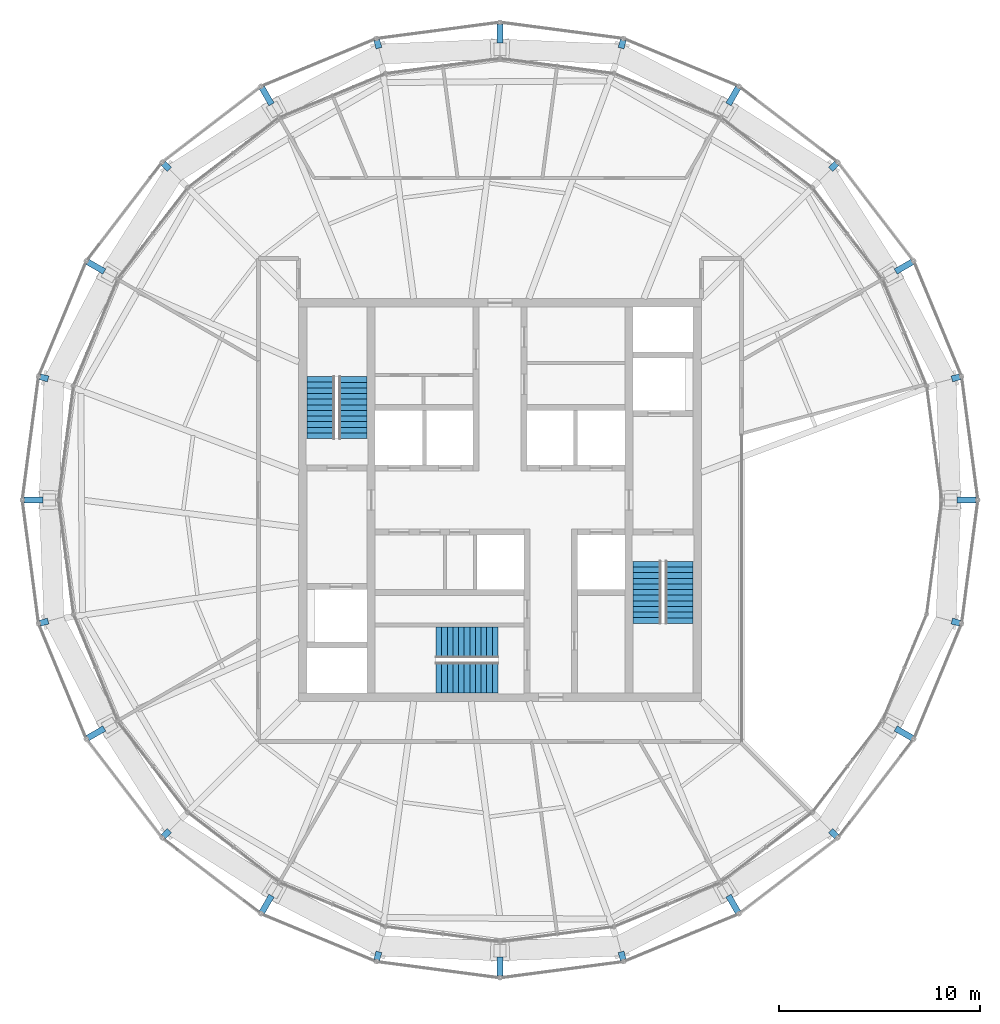
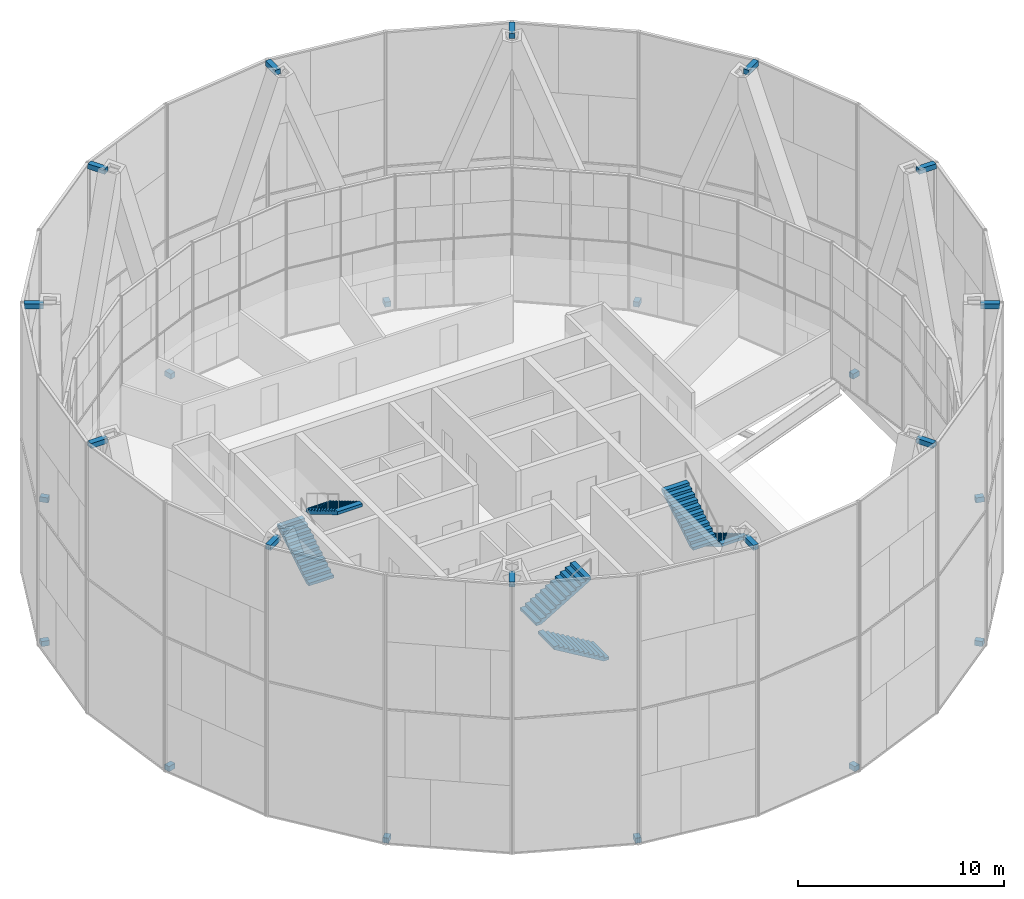
# One storey, part 21 of 22: 24 discrete accessories, 6 stair flights, 3 elements without a shape of their own.
"""IFC4 building model written with IfcOpenShell, lengths in metres."""

from ifc_helpers import new_model, si_unit, direction, frame, origin, origin_2d, place, context, subcontext, project, spatial, polyline, rectangle, outline, extrude, material, type_object, element, aggregate, save


model = new_model("IFC4")

# Units and contexts
model_context = context("Model", 3, precision=1e-05, world=origin(), true_north=direction((0.0, 1.0)))
body_context = subcontext(model_context, "Body", "Model", "MODEL_VIEW")
ifc_project = project(units=[si_unit("LENGTHUNIT", "METRE"), si_unit("AREAUNIT", "SQUARE_METRE"), si_unit("VOLUMEUNIT", "CUBIC_METRE"), si_unit("PLANEANGLEUNIT", "RADIAN"), si_unit("MASSUNIT", "GRAM", prefix="KILO")], contexts=[model_context])

# Site, building, storey
site_placement = place(None, origin())
site = spatial("IfcSite", under=ifc_project, at=site_placement, CompositionType="ELEMENT")
building_placement = place(site_placement, origin())
building = spatial("IfcBuilding", under=site, at=building_placement, Name="Golbaran Civic Tower", CompositionType="ELEMENT")
storey_placement = place(building_placement, frame((0.0, 0.0, 264.0)))
storey = spatial("IfcBuildingStorey", under=building, at=storey_placement, Name="L64", CompositionType="ELEMENT", Elevation=264.0)

# Stair, stair flights
ifc_material_1 = material(Name="Concrete C35/45", Category="concrete")
stair_type_1 = type_object("IfcStairType", Name="EXIT STAIR 3000 x 7850, 4000 RISE", PredefinedType="HALF_TURN_STAIR", material=ifc_material_1)
stair_1_placement = place(storey_placement, origin())
stair_1 = element("IfcStair", 1, at=stair_1_placement, inside=storey, type_object=stair_type_1, Name="Stair S1 L64", PredefinedType="HALF_TURN_STAIR")
stair_flight_type_1 = type_object("IfcStairFlightType", Name="STAIR FLIGHT 1400 WIDE", PredefinedType="STRAIGHT", material=ifc_material_1)
stair_flight_1_placement = place(storey_placement, frame((-8.89990234375, 3.050048828125, 0.0), z_axis=(0.0, 0.0, 1.0), x_axis=(0.0, 1.0, 0.0)))
stair_flight_1 = element("IfcStairFlight", 2, at=stair_flight_1_placement, type_object=stair_flight_type_1, Name="ST30078-40 flight 1", NumberOfRisers=12, NumberOfTreads=11, PredefinedType="STRAIGHT", RiserHeight=0.166666667, TreadLength=0.28, context=body_context, shape_type="SweptSolid", body=[
    extrude(outline(polyline([(0.0, 0.0), (0.0, 0.166748046875), (0.280029296875, 0.166748046875), (0.280029296875, 0.333251953125), (0.56005859375, 0.333251953125), (0.56005859375, 0.5), (0.840087890625, 0.5), (0.840087890625, 0.666748046875), (1.1201171875, 0.666748046875), (1.1201171875, 0.833251953125), (1.39990234375, 0.833251953125), (1.39990234375, 1.0), (1.679931640625, 1.0), (1.679931640625, 1.166748046875), (1.9599609375, 1.166748046875), (1.9599609375, 1.333251953125), (2.239990234375, 1.333251953125), (2.239990234375, 1.5), (2.52001953125, 1.5), (2.52001953125, 1.666748046875), (2.800048828125, 1.666748046875), (2.800048828125, 1.833251953125), (3.080078125, 1.833251953125), (3.080078125, 2.0), (3.080078125, 1.658935546875), (0.29296875, 0.0), (0.0, 0.0)])), frame((0.0, 0.699951171875, 0.0), z_axis=(0.0, -1.0, 0.0), x_axis=(1.0, 0.0, 0.0)), (0.0, 0.0, 1.0), 1.39990234375),
])
stair_flight_2_placement = place(storey_placement, frame((-7.300048828125, 6.1298828125, 2.0), z_axis=(0.0, 0.0, 1.0), x_axis=(0.0, -1.0, 0.0)))
stair_flight_2 = element("IfcStairFlight", 3, at=stair_flight_2_placement, type_object=stair_flight_type_1, Name="ST30078-40 flight 2", NumberOfRisers=12, NumberOfTreads=11, PredefinedType="STRAIGHT", RiserHeight=0.166666667, TreadLength=0.28, context=body_context, shape_type="SweptSolid", body=[
    extrude(outline(polyline([(0.0, 0.0), (0.0, 0.166748046875), (0.280029296875, 0.166748046875), (0.280029296875, 0.333251953125), (0.56005859375, 0.333251953125), (0.56005859375, 0.5), (0.840087890625, 0.5), (0.840087890625, 0.666748046875), (1.1201171875, 0.666748046875), (1.1201171875, 0.833251953125), (1.39990234375, 0.833251953125), (1.39990234375, 1.0), (1.679931640625, 1.0), (1.679931640625, 1.166748046875), (1.9599609375, 1.166748046875), (1.9599609375, 1.333251953125), (2.239990234375, 1.333251953125), (2.239990234375, 1.5), (2.52001953125, 1.5), (2.52001953125, 1.666748046875), (2.800048828125, 1.666748046875), (2.800048828125, 1.833251953125), (3.080078125, 1.833251953125), (3.080078125, 2.0), (3.080078125, 1.658935546875), (0.29296875, 0.0), (0.0, 0.0)])), frame((0.0, 0.699951171875, 0.0), z_axis=(0.0, -1.0, 0.0), x_axis=(1.0, 0.0, 0.0)), (0.0, 0.0, 1.0), 1.39990234375),
])
aggregate(stair_1, [stair_flight_1, stair_flight_2])

stair_2_placement = place(storey_placement, origin())
stair_2 = element("IfcStair", 4, at=stair_2_placement, inside=storey, type_object=stair_type_1, Name="Stair S2 L64", PredefinedType="HALF_TURN_STAIR")
stair_flight_3_placement = place(storey_placement, frame((8.89990234375, -3.050048828125, 0.0), z_axis=(0.0, 0.0, 1.0), x_axis=(0.0, -1.0, 0.0)))
stair_flight_3 = element("IfcStairFlight", 5, at=stair_flight_3_placement, type_object=stair_flight_type_1, Name="ST30078-40 flight 1", NumberOfRisers=12, NumberOfTreads=11, PredefinedType="STRAIGHT", RiserHeight=0.166666667, TreadLength=0.28, context=body_context, shape_type="SweptSolid", body=[
    extrude(outline(polyline([(0.0, 0.0), (0.0, 0.166748046875), (0.280029296875, 0.166748046875), (0.280029296875, 0.333251953125), (0.56005859375, 0.333251953125), (0.56005859375, 0.5), (0.840087890625, 0.5), (0.840087890625, 0.666748046875), (1.1201171875, 0.666748046875), (1.1201171875, 0.833251953125), (1.39990234375, 0.833251953125), (1.39990234375, 1.0), (1.679931640625, 1.0), (1.679931640625, 1.166748046875), (1.9599609375, 1.166748046875), (1.9599609375, 1.333251953125), (2.239990234375, 1.333251953125), (2.239990234375, 1.5), (2.52001953125, 1.5), (2.52001953125, 1.666748046875), (2.800048828125, 1.666748046875), (2.800048828125, 1.833251953125), (3.080078125, 1.833251953125), (3.080078125, 2.0), (3.080078125, 1.658935546875), (0.29296875, 0.0), (0.0, 0.0)])), frame((0.0, 0.699951171875, 0.0), z_axis=(0.0, -1.0, 0.0), x_axis=(1.0, 0.0, 0.0)), (0.0, 0.0, 1.0), 1.39990234375),
])
stair_flight_4_placement = place(storey_placement, frame((7.300048828125, -6.1298828125, 2.0), z_axis=(0.0, 0.0, 1.0), x_axis=(0.0, 1.0, 0.0)))
stair_flight_4 = element("IfcStairFlight", 6, at=stair_flight_4_placement, type_object=stair_flight_type_1, Name="ST30078-40 flight 2", NumberOfRisers=12, NumberOfTreads=11, PredefinedType="STRAIGHT", RiserHeight=0.166666667, TreadLength=0.28, context=body_context, shape_type="SweptSolid", body=[
    extrude(outline(polyline([(0.0, 0.0), (0.0, 0.166748046875), (0.280029296875, 0.166748046875), (0.280029296875, 0.333251953125), (0.56005859375, 0.333251953125), (0.56005859375, 0.5), (0.840087890625, 0.5), (0.840087890625, 0.666748046875), (1.1201171875, 0.666748046875), (1.1201171875, 0.833251953125), (1.39990234375, 0.833251953125), (1.39990234375, 1.0), (1.679931640625, 1.0), (1.679931640625, 1.166748046875), (1.9599609375, 1.166748046875), (1.9599609375, 1.333251953125), (2.239990234375, 1.333251953125), (2.239990234375, 1.5), (2.52001953125, 1.5), (2.52001953125, 1.666748046875), (2.800048828125, 1.666748046875), (2.800048828125, 1.833251953125), (3.080078125, 1.833251953125), (3.080078125, 2.0), (3.080078125, 1.658935546875), (0.29296875, 0.0), (0.0, 0.0)])), frame((0.0, 0.699951171875, 0.0), z_axis=(0.0, -1.0, 0.0), x_axis=(1.0, 0.0, 0.0)), (0.0, 0.0, 1.0), 1.39990234375),
])
aggregate(stair_2, [stair_flight_3, stair_flight_4])

stair_type_2 = type_object("IfcStairType", Name="EXIT STAIR 3300 x 7400, 4000 RISE", PredefinedType="HALF_TURN_STAIR", material=ifc_material_1)
stair_3_placement = place(storey_placement, origin())
stair_3 = element("IfcStair", 7, at=stair_3_placement, inside=storey, type_object=stair_type_2, Name="Stair S3 L64", PredefinedType="HALF_TURN_STAIR")
stair_flight_type_2 = type_object("IfcStairFlightType", Name="STAIR FLIGHT 1550 WIDE", PredefinedType="STRAIGHT", material=ifc_material_1)
stair_flight_5_placement = place(storey_placement, frame((-0.10009765625, -8.824951171875, 0.0), z_axis=(0.0, 0.0, 1.0), x_axis=(-1.0, 0.0, 0.0)))
stair_flight_5 = element("IfcStairFlight", 8, at=stair_flight_5_placement, type_object=stair_flight_type_2, Name="ST33074-40 flight 1", NumberOfRisers=12, NumberOfTreads=11, PredefinedType="STRAIGHT", RiserHeight=0.166666667, TreadLength=0.28, context=body_context, shape_type="SweptSolid", body=[
    extrude(outline(polyline([(0.0, 0.0), (0.0, 0.166748046875), (0.280029296875, 0.166748046875), (0.280029296875, 0.333251953125), (0.56005859375, 0.333251953125), (0.56005859375, 0.5), (0.840087890625, 0.5), (0.840087890625, 0.666748046875), (1.1201171875, 0.666748046875), (1.1201171875, 0.833251953125), (1.39990234375, 0.833251953125), (1.39990234375, 1.0), (1.679931640625, 1.0), (1.679931640625, 1.166748046875), (1.9599609375, 1.166748046875), (1.9599609375, 1.333251953125), (2.239990234375, 1.333251953125), (2.239990234375, 1.5), (2.52001953125, 1.5), (2.52001953125, 1.666748046875), (2.800048828125, 1.666748046875), (2.800048828125, 1.833251953125), (3.080078125, 1.833251953125), (3.080078125, 2.0), (3.080078125, 1.658935546875), (0.29296875, 0.0), (0.0, 0.0)])), frame((0.0, 0.77490234375, 0.0), z_axis=(0.0, -1.0, 0.0), x_axis=(1.0, 0.0, 0.0)), (0.0, 0.0, 1.0), 1.550048828125),
])
stair_flight_6_placement = place(storey_placement, frame((-3.179931640625, -7.074951171875, 2.0), z_axis=(0.0, 0.0, 1.0), x_axis=(1.0, 0.0, 0.0)))
stair_flight_6 = element("IfcStairFlight", 9, at=stair_flight_6_placement, type_object=stair_flight_type_2, Name="ST33074-40 flight 2", NumberOfRisers=12, NumberOfTreads=11, PredefinedType="STRAIGHT", RiserHeight=0.166666667, TreadLength=0.28, context=body_context, shape_type="SweptSolid", body=[
    extrude(outline(polyline([(0.0, 0.0), (0.0, 0.166748046875), (0.280029296875, 0.166748046875), (0.280029296875, 0.333251953125), (0.56005859375, 0.333251953125), (0.56005859375, 0.5), (0.840087890625, 0.5), (0.840087890625, 0.666748046875), (1.1201171875, 0.666748046875), (1.1201171875, 0.833251953125), (1.39990234375, 0.833251953125), (1.39990234375, 1.0), (1.679931640625, 1.0), (1.679931640625, 1.166748046875), (1.9599609375, 1.166748046875), (1.9599609375, 1.333251953125), (2.239990234375, 1.333251953125), (2.239990234375, 1.5), (2.52001953125, 1.5), (2.52001953125, 1.666748046875), (2.800048828125, 1.666748046875), (2.800048828125, 1.833251953125), (3.080078125, 1.833251953125), (3.080078125, 2.0), (3.080078125, 1.658935546875), (0.29296875, 0.0), (0.0, 0.0)])), frame((0.0, 0.77490234375, 0.0), z_axis=(0.0, -1.0, 0.0), x_axis=(1.0, 0.0, 0.0)), (0.0, 0.0, 1.0), 1.550048828125),
])
aggregate(stair_3, [stair_flight_5, stair_flight_6])

# Discrete accessories
ifc_material_2 = material(Name="Steel S355", Category="steel")
discrete_accessory_type = type_object("IfcDiscreteAccessoryType", Name="OUTER SKIN BRACKET", PredefinedType="BRACKET", material=ifc_material_2)
for number, where, z_axis, x_axis, name in (
    (10, (22.64892578125, 6.06884765625, -0.7099609375), (0.0, 0.0, 1.0), (0.965925826289, 0.258819045103, 0.0), "Outer skin bracket L64 node 1"),
    (11, (16.580322265625, 16.580322265625, -0.7099609375), (0.0, 0.0, 1.0), (0.707106781187, 0.707106781187, 0.0), "Outer skin bracket L64 node 2"),
    (12, (6.06884765625, 22.64892578125, -0.7099609375), (0.0, 0.0, 1.0), (0.258819045103, 0.965925826289, 0.0), "Outer skin bracket L64 node 3"),
    (13, (-6.06884765625, 22.64892578125, -0.7099609375), (0.0, 0.0, 1.0), (-0.258819045103, 0.965925826289, 0.0), "Outer skin bracket L64 node 4"),
    (14, (-16.580322265625, 16.580322265625, -0.7099609375), (0.0, 0.0, 1.0), (-0.707106781187, 0.707106781187, 0.0), "Outer skin bracket L64 node 5"),
    (15, (-22.64892578125, 6.06884765625, -0.7099609375), (0.0, 0.0, 1.0), (-0.965925826289, 0.258819045103, 0.0), "Outer skin bracket L64 node 6"),
    (16, (-22.64892578125, -6.06884765625, -0.7099609375), (0.0, 0.0, 1.0), (-0.965925826289, -0.258819045103, 0.0), "Outer skin bracket L64 node 7"),
    (17, (-16.580322265625, -16.580322265625, -0.7099609375), (0.0, 0.0, 1.0), (-0.707106781187, -0.707106781187, 0.0), "Outer skin bracket L64 node 8"),
    (18, (-6.06884765625, -22.64892578125, -0.7099609375), (0.0, 0.0, 1.0), (-0.258819045103, -0.965925826289, 0.0), "Outer skin bracket L64 node 9"),
    (19, (6.06884765625, -22.64892578125, -0.7099609375), (0.0, 0.0, 1.0), (0.258819045103, -0.965925826289, 0.0), "Outer skin bracket L64 node 10"),
    (20, (16.580322265625, -16.580322265625, -0.7099609375), (0.0, 0.0, 1.0), (0.707106781187, -0.707106781187, 0.0), "Outer skin bracket L64 node 11"),
    (21, (22.64892578125, -6.06884765625, -0.7099609375), (0.0, 0.0, 1.0), (0.965925826289, -0.258819045103, 0.0), "Outer skin bracket L64 node 12"),
):
    element("IfcDiscreteAccessory", number, at=place(storey_placement, frame(where, z_axis=z_axis, x_axis=x_axis)), inside=storey, type_object=discrete_accessory_type, Name=name, PredefinedType="BRACKET", context=body_context, shape_type="SweptSolid", body=[
        extrude(rectangle(XDim=0.419921875, YDim=0.300048828125, at=origin_2d()), origin(), (0.0, 0.0, 1.0), 0.300048828125),
    ])
for number, where, z_axis, x_axis, name in (
    (22, (23.178955078125, 0.0, 14.98974609375), (0.0, 0.0, 1.0), (1.0, 0.0, 0.0), "Outer skin head bracket L64 node 1"),
    (23, (20.073486328125, 11.589599609375, 14.98974609375), (0.0, 0.0, 1.0), (0.866025403784, 0.5, 0.0), "Outer skin head bracket L64 node 2"),
    (24, (11.589599609375, 20.073486328125, 14.98974609375), (0.0, 0.0, 1.0), (0.5, 0.866025403784, 0.0), "Outer skin head bracket L64 node 3"),
    (25, (0.0, 23.178955078125, 14.98974609375), (0.0, 0.0, 1.0), (0.0, 1.0, 0.0), "Outer skin head bracket L64 node 4"),
    (26, (-11.589599609375, 20.073486328125, 14.98974609375), (0.0, 0.0, 1.0), (-0.5, 0.866025403784, 0.0), "Outer skin head bracket L64 node 5"),
    (27, (-20.073486328125, 11.589599609375, 14.98974609375), (0.0, 0.0, 1.0), (-0.866025403784, 0.5, 0.0), "Outer skin head bracket L64 node 6"),
    (28, (-23.178955078125, 0.0, 14.98974609375), (0.0, 0.0, 1.0), (-1.0, 0.0, 0.0), "Outer skin head bracket L64 node 7"),
    (29, (-20.073486328125, -11.589599609375, 14.98974609375), (0.0, 0.0, 1.0), (-0.866025403784, -0.5, 0.0), "Outer skin head bracket L64 node 8"),
    (30, (-11.589599609375, -20.073486328125, 14.98974609375), (0.0, 0.0, 1.0), (-0.5, -0.866025403784, 0.0), "Outer skin head bracket L64 node 9"),
    (31, (0.0, -23.178955078125, 14.98974609375), (0.0, 0.0, 1.0), (0.0, -1.0, 0.0), "Outer skin head bracket L64 node 10"),
    (32, (11.589599609375, -20.073486328125, 14.98974609375), (0.0, 0.0, 1.0), (0.5, -0.866025403784, 0.0), "Outer skin head bracket L64 node 11"),
    (33, (20.073486328125, -11.589599609375, 14.98974609375), (0.0, 0.0, 1.0), (0.866025403784, -0.5, 0.0), "Outer skin head bracket L64 node 12"),
):
    element("IfcDiscreteAccessory", number, at=place(storey_placement, frame(where, z_axis=z_axis, x_axis=x_axis)), inside=storey, type_object=discrete_accessory_type, Name=name, PredefinedType="BRACKET", context=body_context, shape_type="SweptSolid", body=[
        extrude(rectangle(XDim=0.9580078125, YDim=0.300048828125, at=origin_2d()), origin(), (0.0, 0.0, 1.0), 0.300048828125),
    ])

save(model, "model.ifc")
